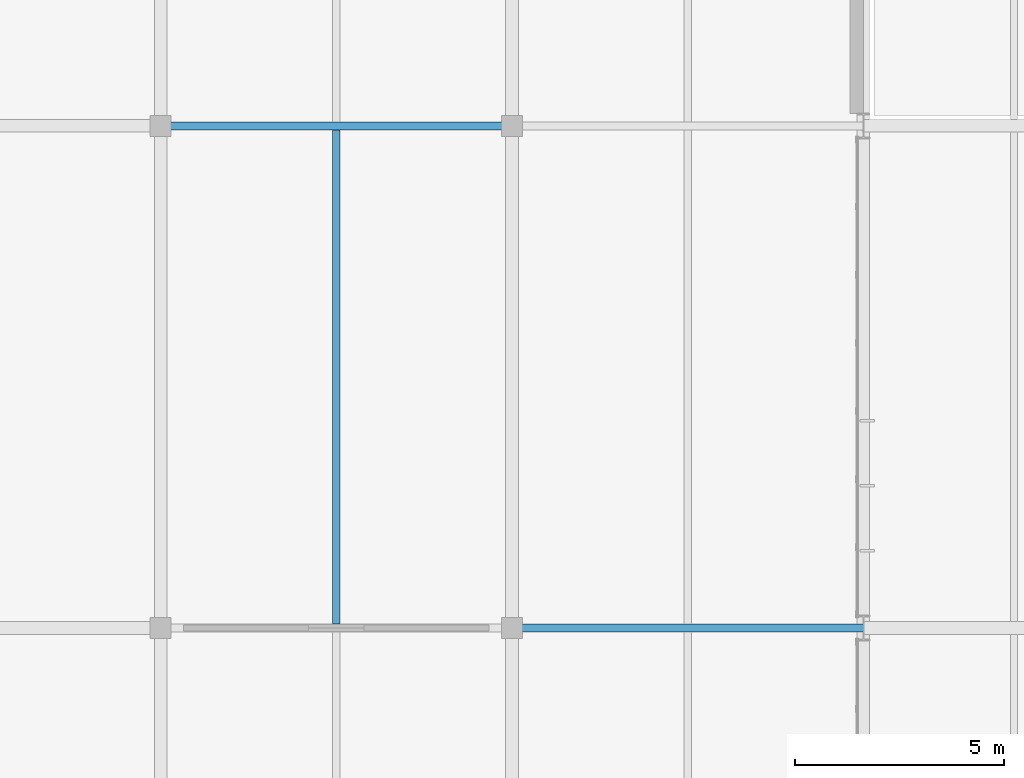
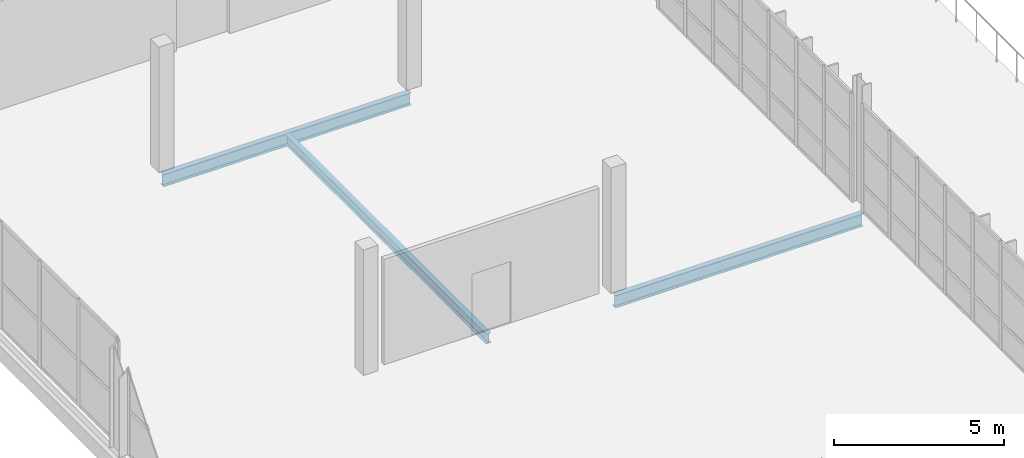
# One storey, part 80 of 109: 3 beams.
"""IFC4 building model written with IfcOpenShell, lengths in metres."""

from ifc_helpers import new_model, si_unit, direction, frame, origin, origin_2d, place, context, subcontext, project, spatial, i_section, extrude, material, material_profile, profile_set, type_object, element, save


model = new_model("IFC4")

# Units and contexts
model_context = context("Model", 3, precision=1e-05, world=origin(), true_north=direction((0.0, 1.0)))
body_context = subcontext(model_context, "Body", "Model", "MODEL_VIEW")
ifc_project = project(units=[si_unit("LENGTHUNIT", "METRE"), si_unit("AREAUNIT", "SQUARE_METRE"), si_unit("VOLUMEUNIT", "CUBIC_METRE"), si_unit("PLANEANGLEUNIT", "RADIAN"), si_unit("MASSUNIT", "GRAM", prefix="KILO")], contexts=[model_context])

# Site, building, storey
site_placement = place(None, origin())
site = spatial("IfcSite", under=ifc_project, at=site_placement, CompositionType="ELEMENT")
building_placement = place(site_placement, origin())
building = spatial("IfcBuilding", under=site, at=building_placement, Name="Veltarok Museum of Natural Sciences", CompositionType="ELEMENT")
storey_placement = place(building_placement, frame((0.0, 0.0, 17.39990234375)))
storey = spatial("IfcBuildingStorey", under=building, at=storey_placement, Name="L03", CompositionType="ELEMENT", Elevation=17.39990234375)

# Beams
ifc_material = material(Name="Steel S355J2", Category="steel")
ifc_material_profile_1 = material_profile(ifc_material, i_section(OverallWidth=0.18994140625, OverallDepth=0.449951171875, WebThickness=0.009521484375, FlangeThickness=0.0146484375, FilletRadius=0.02099609375, at=origin_2d()), Name="IPE 450")
ifc_profile_set_1 = profile_set([ifc_material_profile_1], Name="Steel S355J2")
beam_type_1 = type_object("IfcBeamType", Name="Laboratory Floor Girder IPE 450", PredefinedType="BEAM", material=ifc_profile_set_1)
beam_1_placement = place(storey_placement, frame((149.199951171875, 48.0, -0.48486328125), z_axis=(1.0, 0.0, 0.0), x_axis=(0.0, 1.0, 0.0)))
element("IfcBeam", 1, at=beam_1_placement, inside=storey, type_object=beam_type_1, Name="Beam BM-G05 L03 18-19/F", PredefinedType="BEAM", context=body_context, shape_type="SweptSolid", body=[
    extrude(i_section(OverallWidth=0.18994140625, OverallDepth=0.449951171875, WebThickness=0.009521484375, FlangeThickness=0.0146484375, FilletRadius=0.02099609375, at=origin_2d()), origin(), (0.0, 0.0, 1.0), 8.400146484375),
])
beam_2_placement = place(storey_placement, frame((140.800048828125, 60.0, -0.474853515625), z_axis=(1.0, 0.0, 0.0), x_axis=(0.0, 1.0, 0.0)))
element("IfcBeam", 2, at=beam_2_placement, inside=storey, type_object=beam_type_1, Name="Beam BM-G05 L03 17-18/G", PredefinedType="BEAM", context=body_context, shape_type="SweptSolid", body=[
    extrude(i_section(OverallWidth=0.18994140625, OverallDepth=0.449951171875, WebThickness=0.009521484375, FlangeThickness=0.0146484375, FilletRadius=0.02099609375, at=origin_2d()), origin(), (0.0, 0.0, 1.0), 8.39990234375),
])
ifc_material_profile_2 = material_profile(ifc_material, i_section(OverallWidth=0.169921875, OverallDepth=0.360107421875, WebThickness=0.008056640625, FlangeThickness=0.0126953125, FilletRadius=0.01806640625, at=origin_2d()), Name="IPE 360")
ifc_profile_set_2 = profile_set([ifc_material_profile_2], Name="Steel S355J2")
beam_type_2 = type_object("IfcBeamType", Name="Long-Bay Composite Joist IPE 360", PredefinedType="JOIST", material=ifc_profile_set_2)
beam_3_placement = place(storey_placement, frame((145.0, 48.093017578125, -0.429931640625), z_axis=(0.0, 1.0, 0.0), x_axis=(-1.0, 0.0, 0.0)))
element("IfcBeam", 3, at=beam_3_placement, inside=storey, type_object=beam_type_2, Name="Secondary Joist BM-J01 L03 17-18/F-G.1", PredefinedType="JOIST", context=body_context, shape_type="SweptSolid", body=[
    extrude(i_section(OverallWidth=0.169921875, OverallDepth=0.360107421875, WebThickness=0.008056640625, FlangeThickness=0.0126953125, FilletRadius=0.01806640625, at=origin_2d()), origin(), (0.0, 0.0, 1.0), 11.81396484375),
])

save(model, "model.ifc")
